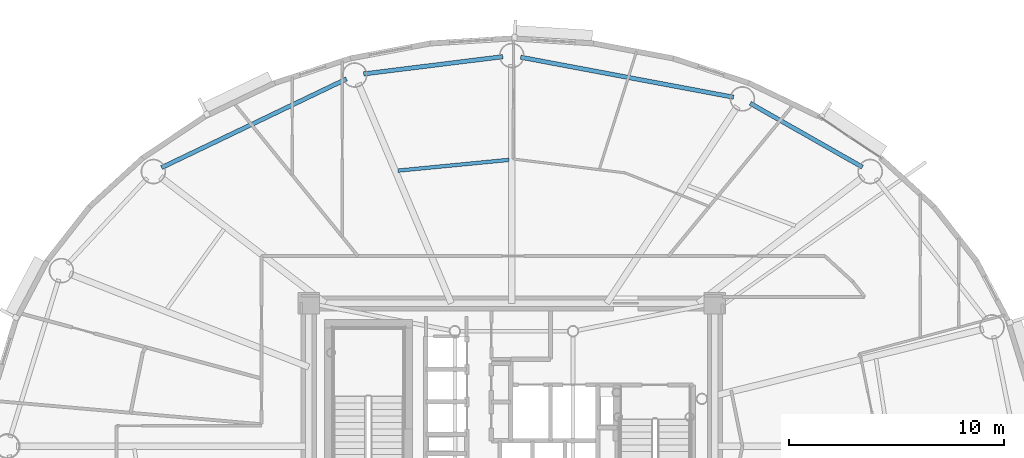
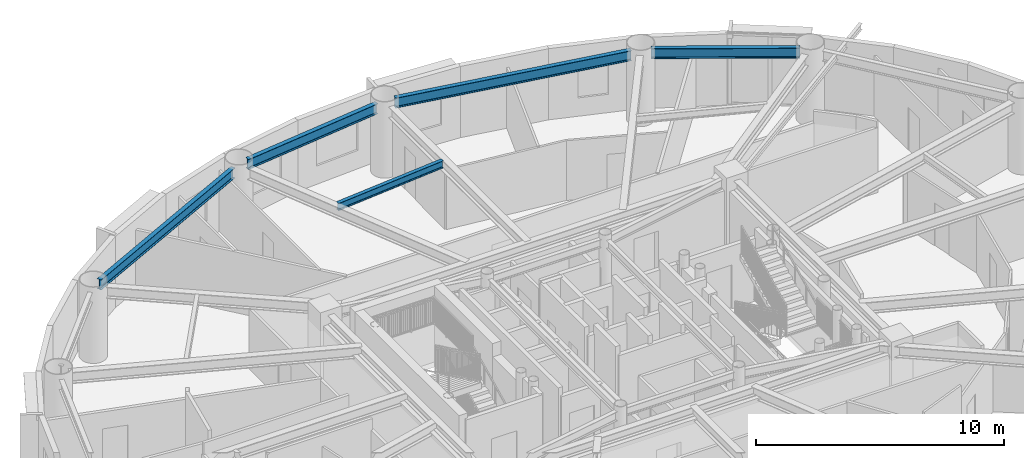
# One storey, part 4 of 18: 5 beams.
"""IFC4 building model written with IfcOpenShell, lengths in metres."""

from ifc_helpers import new_model, si_unit, direction, frame, origin, origin_2d, place, context, subcontext, project, spatial, i_section, extrude, material, material_profile, profile_set, type_object, element, save


model = new_model("IFC4")

# Units and contexts
model_context = context("Model", 3, precision=1e-05, world=origin(), true_north=direction((0.0, 1.0)))
body_context = subcontext(model_context, "Body", "Model", "MODEL_VIEW")
ifc_project = project(units=[si_unit("LENGTHUNIT", "METRE"), si_unit("AREAUNIT", "SQUARE_METRE"), si_unit("VOLUMEUNIT", "CUBIC_METRE"), si_unit("PLANEANGLEUNIT", "RADIAN"), si_unit("MASSUNIT", "GRAM", prefix="KILO")], contexts=[model_context])

# Site, building, storey
site_placement = place(None, origin())
site = spatial("IfcSite", under=ifc_project, at=site_placement, CompositionType="ELEMENT")
building_placement = place(site_placement, origin())
building = spatial("IfcBuilding", under=site, at=building_placement, Name="Linh Dai School and Residence Tower", CompositionType="ELEMENT")
storey_placement = place(building_placement, frame((0.0, 0.0, 244.050048828125)))
storey = spatial("IfcBuildingStorey", under=building, at=storey_placement, Name="L60", CompositionType="ELEMENT", Elevation=244.050048828125)

# Beams
ifc_material = material(Name="Structural Steel S355JR", Category="steel")
ifc_material_profile_1 = material_profile(ifc_material, i_section(OverallWidth=0.199951171875, OverallDepth=0.5, WebThickness=0.01025390625, FlangeThickness=0.01611328125, FilletRadius=0.02099609375, at=origin_2d()), Name="IPE 500")
ifc_profile_set_1 = profile_set([ifc_material_profile_1], Name="Structural Steel S355JR")
beam_type_1 = type_object("IfcBeamType", Name="BM-RB50", PredefinedType="BEAM", material=ifc_profile_set_1)
beam_1_placement = place(storey_placement, frame((52.318115234375, 39.988525390625, 3.25), z_axis=(-0.869297314463, 0.494289570058, 0.0), x_axis=(-0.494289570058, -0.869297314463, 0.0)))
element("IfcBeam", 1, at=beam_1_placement, inside=storey, type_object=beam_type_1, Name="L60 Perimeter Elliptical Ring Beam 03", PredefinedType="BEAM", context=body_context, shape_type="SweptSolid", body=[
    extrude(i_section(OverallWidth=0.199951171875, OverallDepth=0.5, WebThickness=0.01025390625, FlangeThickness=0.01611328125, FilletRadius=0.02099609375, at=origin_2d()), origin(), (0.0, 0.0, 1.0), 6.003173828125),
])
beam_2_placement = place(storey_placement, frame((46.32177734375, 43.240966796875, 3.25), z_axis=(-0.982806607762, 0.184637947722, 0.0), x_axis=(-0.184637947722, -0.982806607762, 0.0)))
element("IfcBeam", 2, at=beam_2_placement, inside=storey, type_object=beam_type_1, Name="L60 Perimeter Elliptical Ring Beam 04", PredefinedType="BEAM", context=body_context, shape_type="SweptSolid", body=[
    extrude(i_section(OverallWidth=0.199951171875, OverallDepth=0.5, WebThickness=0.01025390625, FlangeThickness=0.01611328125, FilletRadius=0.02099609375, at=origin_2d()), origin(), (0.0, 0.0, 1.0), 10.082275390625),
])
beam_3_placement = place(storey_placement, frame((35.583251953125, 45.12841796875, 3.25), z_axis=(-0.992401656104, -0.123040452539, 0.0), x_axis=(0.123040452539, -0.992401656104, 0.0)))
element("IfcBeam", 3, at=beam_3_placement, inside=storey, type_object=beam_type_1, Name="L60 Perimeter Elliptical Ring Beam 05", PredefinedType="BEAM", context=body_context, shape_type="SweptSolid", body=[
    extrude(i_section(OverallWidth=0.199951171875, OverallDepth=0.5, WebThickness=0.01025390625, FlangeThickness=0.01611328125, FilletRadius=0.02099609375, at=origin_2d()), origin(), (0.0, 0.0, 1.0), 6.528076171875),
])
beam_4_placement = place(storey_placement, frame((28.309326171875, 44.092041015625, 3.25), z_axis=(-0.901735920201, -0.432287323686, 0.0), x_axis=(0.432287323686, -0.901735920201, 0.0)))
element("IfcBeam", 4, at=beam_4_placement, inside=storey, type_object=beam_type_1, Name="L60 Perimeter Elliptical Ring Beam 06", PredefinedType="BEAM", context=body_context, shape_type="SweptSolid", body=[
    extrude(i_section(OverallWidth=0.199951171875, OverallDepth=0.5, WebThickness=0.01025390625, FlangeThickness=0.01611328125, FilletRadius=0.02099609375, at=origin_2d()), origin(), (0.0, 0.0, 1.0), 9.552490234375),
])
ifc_material_profile_2 = material_profile(ifc_material, i_section(OverallWidth=0.169921875, OverallDepth=0.360107421875, WebThickness=0.008056640625, FlangeThickness=0.0126953125, FilletRadius=0.01806640625, at=origin_2d()), Name="IPE 360")
ifc_profile_set_2 = profile_set([ifc_material_profile_2], Name="Structural Steel S355JR")
beam_type_2 = type_object("IfcBeamType", Name="BM-SB36", PredefinedType="BEAM", material=ifc_profile_set_2)
beam_5_placement = place(storey_placement, frame((35.87060546875, 40.324951171875, 3.320068359375), z_axis=(-0.995332680487, -0.096503135467, 0.0), x_axis=(0.096503135467, -0.995332680487, 0.0)))
element("IfcBeam", 5, at=beam_5_placement, inside=storey, type_object=beam_type_2, Name="L60 Secondary Circumferential Floor Beam 03", PredefinedType="BEAM", context=body_context, shape_type="SweptSolid", body=[
    extrude(i_section(OverallWidth=0.169921875, OverallDepth=0.360107421875, WebThickness=0.008056640625, FlangeThickness=0.0126953125, FilletRadius=0.01806640625, at=origin_2d()), origin(), (0.0, 0.0, 1.0), 5.188720703125),
])

save(model, "model.ifc")
